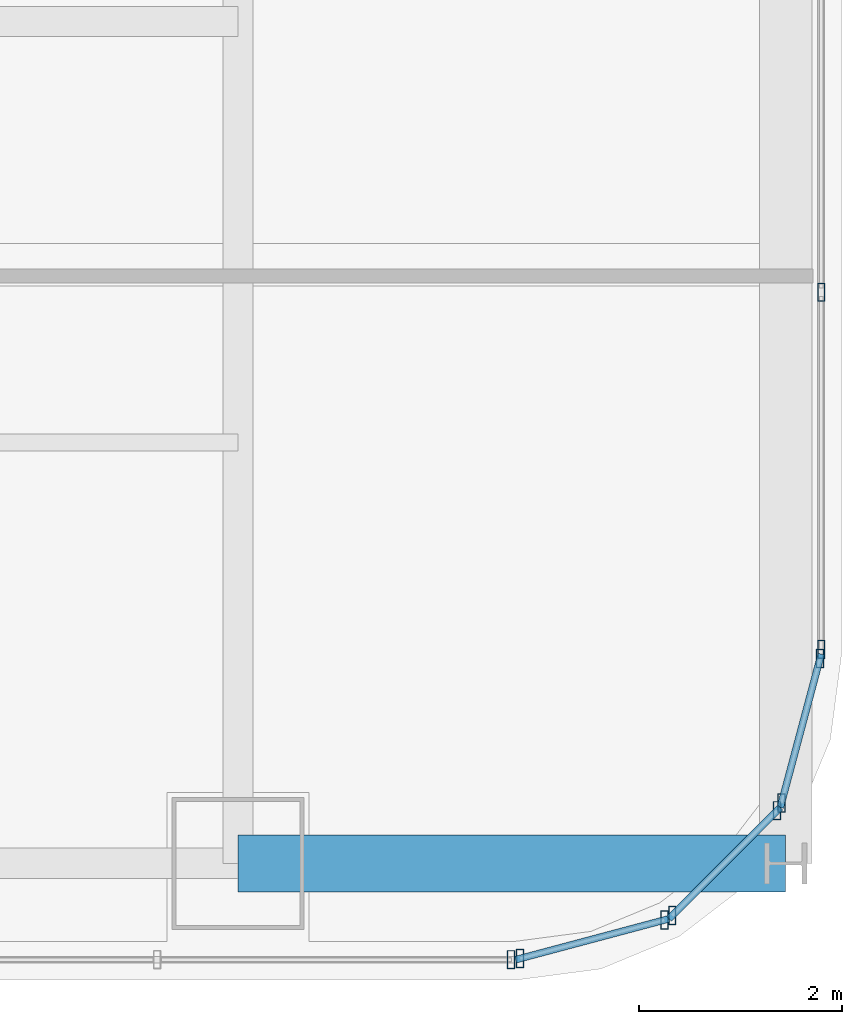
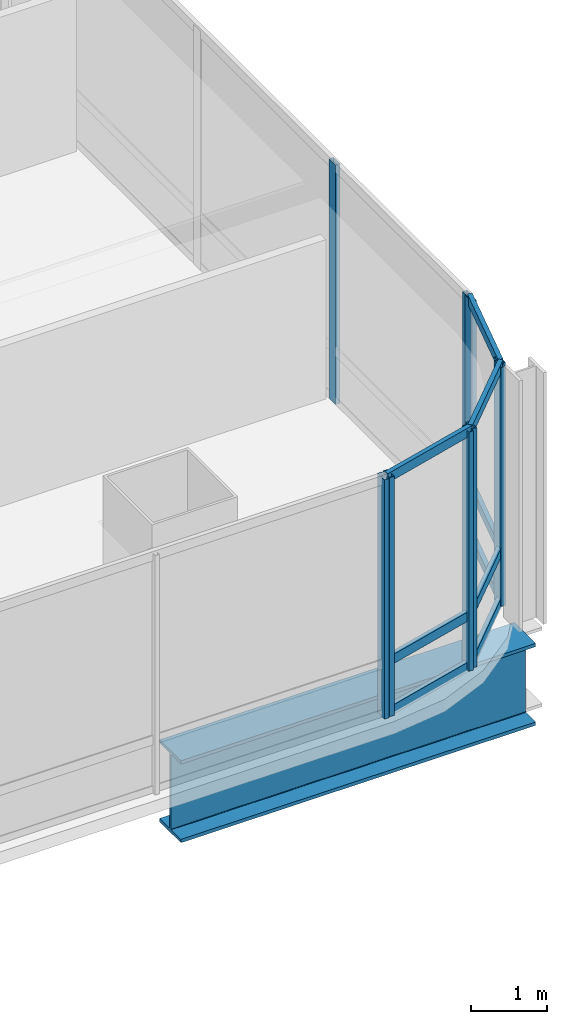
# One storey, part 15 of 39: 18 members, 1 beam, 5 elements without a shape of their own.
"""IFC4 building model written with IfcOpenShell, lengths in metres."""

import ifcopenshell
import ifcopenshell.guid

model = None  # the IFC model being written
_history = None  # IfcOwnerHistory: only IFC2X3 demands one
_inside = {}  # id of a spatial element -> (the spatial element, [elements in it])
_under = {}  # id of a project, library or spatial element -> (it, [spatial elements below it])
_declared = {}  # id of a project -> (the project, [libraries it declares])
_typed = {}  # id of a type object -> (the type object, [elements of that type])
_made_of = {}  # id of a material, layer set ... -> (it, [elements and type objects made of it])


def new_model(schema):
    """Start an empty IFC model of exactly this schema.

    Asked for "IFC4X3", IfcOpenShell would pick the latest addendum, in which some entities
    have other attributes; the version numbers below select the first issue.
    IFC2X3 requires an IfcOwnerHistory on every rooted entity: one is made here for all.
    """
    global model, _history
    if schema == "IFC4X3":
        model = ifcopenshell.file(schema_version=(4, 3, 0, 0))
    else:
        model = ifcopenshell.file(schema=schema)
    _inside.clear()
    _under.clear()
    _declared.clear()
    _typed.clear()
    _made_of.clear()
    _history = None
    if model.schema == "IFC2X3":
        org = make("IfcOrganization", Name="unknown")
        user = make(
            "IfcPersonAndOrganization",
            ThePerson=make("IfcPerson", FamilyName="unknown"),
            TheOrganization=org,
        )
        app = make(
            "IfcApplication",
            ApplicationDeveloper=org,
            Version="unknown",
            ApplicationFullName="unknown",
            ApplicationIdentifier="unknown",
        )
        _history = make(
            "IfcOwnerHistory",
            OwningUser=user,
            OwningApplication=app,
            ChangeAction="ADDED",
            CreationDate=0,
        )
    return model


def make(cls, **values):
    """One entity of the class cls with the attributes given. An attribute that is None is left unset."""
    return model.create_entity(
        cls, **{name: value for name, value in values.items() if value is not None}
    )


def rooted(cls, **values):
    """An entity with a GlobalId (a new one), such as an element, a storey or a relation."""
    return make(cls, GlobalId=ifcopenshell.guid.new(), OwnerHistory=_history, **values)


def si_unit(unit_type, name, prefix=None):
    """IfcSIUnit, for example si_unit("LENGTHUNIT", "METRE", prefix="MILLI")."""
    return make("IfcSIUnit", UnitType=unit_type, Prefix=prefix, Name=name)


def assignment(units):
    """IfcUnitAssignment: the units of a project."""
    return None if units is None else make("IfcUnitAssignment", Units=units)


def point(xyz):
    """IfcCartesianPoint."""
    return None if xyz is None else make("IfcCartesianPoint", Coordinates=xyz)


def direction(xyz):
    """IfcDirection."""
    return None if xyz is None else make("IfcDirection", DirectionRatios=xyz)


def frame(location, z_axis=None, x_axis=None):
    """IfcAxis2Placement3D, a coordinate frame: its origin and axes. An axis left out is left unset."""
    return make(
        "IfcAxis2Placement3D",
        Location=point(location),
        Axis=direction(z_axis),
        RefDirection=direction(x_axis),
    )


def frame_2d(location, x_axis=None):
    """IfcAxis2Placement2D, a coordinate frame in the plane: its origin and x axis."""
    return make(
        "IfcAxis2Placement2D", Location=point(location), RefDirection=direction(x_axis)
    )


def origin():
    """The frame at (0, 0, 0) with its axes left unset."""
    return frame((0.0, 0.0, 0.0))


def origin_2d():
    """The frame at (0, 0) in the plane with its x axis left unset."""
    return frame_2d((0.0, 0.0))


def place(relative_to, where):
    """IfcLocalPlacement: puts the frame where relative to a parent placement (None: the world)."""
    return make(
        "IfcLocalPlacement", PlacementRelTo=relative_to, RelativePlacement=where
    )


def context(
    kind, dimensions, precision=None, world=None, true_north=None, identifier=None
):
    """IfcGeometricRepresentationContext, for example the 3D "Model" context."""
    return make(
        "IfcGeometricRepresentationContext",
        ContextIdentifier=identifier,
        ContextType=kind,
        CoordinateSpaceDimension=dimensions,
        Precision=precision,
        WorldCoordinateSystem=world,
        TrueNorth=true_north,
    )


def subcontext(parent, identifier, kind, view, scale=None):
    """IfcGeometricRepresentationSubContext, for example "Body" below "Model"."""
    return make(
        "IfcGeometricRepresentationSubContext",
        ContextIdentifier=identifier,
        ContextType=kind,
        ParentContext=parent,
        TargetScale=scale,
        TargetView=view,
    )


def project(units=None, contexts=None):
    """IfcProject with its units and contexts."""
    return rooted(
        "IfcProject",
        Name="project",
        RepresentationContexts=contexts,
        UnitsInContext=assignment(units),
    )


def spatial(cls, under=None, at=None, **own):
    """A site, building, storey or space (cls), placed at a placement, below another one or the project."""
    s = rooted(cls, ObjectPlacement=at, **own)
    if under is not None:
        _under.setdefault(under.id(), (under, []))[1].append(s)
    return s


def profile(cls, at=None, kind="AREA", **sizes):
    """A parametric profile (cls). Its sizes go by their IFC names, for example OverallWidth=200.0."""
    return make(cls, ProfileType=kind, Position=at, **sizes)


def hollow_rectangle(**sizes):
    """IfcRectangleHollowProfileDef."""
    return profile("IfcRectangleHollowProfileDef", **sizes)


def i_section(**sizes):
    """IfcIShapeProfileDef."""
    return profile("IfcIShapeProfileDef", **sizes)


def extrude(swept, where, along, depth):
    """IfcExtrudedAreaSolid: the profile swept, set in the frame where, extruded along a direction by depth."""
    return make(
        "IfcExtrudedAreaSolid",
        SweptArea=swept,
        Position=where,
        ExtrudedDirection=direction(along),
        Depth=depth,
    )


def shape(context_of_items, identifier, shape_type, items):
    """IfcShapeRepresentation: the items that make up one representation, for example the "Body"."""
    return make(
        "IfcShapeRepresentation",
        ContextOfItems=context_of_items,
        RepresentationIdentifier=identifier,
        RepresentationType=shape_type,
        Items=items,
    )


def material(Name=None, Category=None):
    """IfcMaterial."""
    return make("IfcMaterial", Name=Name, Category=Category)


def material_profile(
    of_material, cross_section, Name=None, Category=None, Priority=None
):
    """IfcMaterialProfile: a cross section and its material."""
    return make(
        "IfcMaterialProfile",
        Name=Name,
        Material=of_material,
        Profile=cross_section,
        Priority=Priority,
        Category=Category,
    )


def profile_set(profiles, Name=None, composite=None):
    """IfcMaterialProfileSet."""
    return make(
        "IfcMaterialProfileSet",
        Name=Name,
        MaterialProfiles=profiles,
        CompositeProfile=composite,
    )


def made_of(thing, what):
    """Note that an element or type object is made of a material, layer set ...; save() writes the relation."""
    if what is not None:
        _made_of.setdefault(what.id(), (what, []))[1].append(thing)
    return thing


def type_object(cls, material=None, **own):
    """A type object (cls), such as IfcWallType, which elements share."""
    return made_of(rooted(cls, **own), material)


def element(
    cls,
    number,
    at=None,
    inside=None,
    cuts=None,
    type_object=None,
    material=None,
    context=None,
    identifier="Body",
    shape_type=None,
    held_by="IfcProductDefinitionShape",
    body=None,
    shapes=None,
    **own,
):
    """One element of the class cls, such as IfcWall. Its Tag is "e" and its number.

    at: its placement. inside: the storey or other place that contains it. cuts: it is an
    opening in that element (IfcRelVoidsElement). A single representation is given by context,
    identifier, shape_type and body (its items); several are given by shapes. held_by: the class
    of the entity that holds the representations. save() writes the other relations.
    """
    e = rooted(cls, Tag="e%d" % number, ObjectPlacement=at, **own)
    if body is not None:
        shapes = [shape(context, identifier, shape_type, body)]
    if shapes is not None:
        e.Representation = make(held_by, Representations=shapes)
    if inside is not None:
        _inside.setdefault(inside.id(), (inside, []))[1].append(e)
    if cuts is not None:
        rooted(
            "IfcRelVoidsElement", RelatingBuildingElement=cuts, RelatedOpeningElement=e
        )
    if type_object is not None:
        _typed.setdefault(type_object.id(), (type_object, []))[1].append(e)
    return made_of(e, material)


def aggregate(whole, parts):
    """IfcRelAggregates: a whole, such as a stair, and the parts it consists of."""
    return rooted("IfcRelAggregates", RelatingObject=whole, RelatedObjects=parts)


def save(model, path):
    """Write the relations noted so far, then the file.

    IfcRelAggregates (storeys below a building ...), IfcRelContainedInSpatialStructure (elements
    in a storey), IfcRelDefinesByType, IfcRelAssociatesMaterial and IfcRelDeclares: one each for
    every whole, place, type object, material and project.
    """
    for whole, parts in _under.values():
        aggregate(whole, parts)
    for where, things in _inside.values():
        rooted(
            "IfcRelContainedInSpatialStructure",
            RelatedElements=things,
            RelatingStructure=where,
        )
    for kind, things in _typed.values():
        rooted("IfcRelDefinesByType", RelatedObjects=things, RelatingType=kind)
    for what, things in _made_of.values():
        rooted("IfcRelAssociatesMaterial", RelatedObjects=things, RelatingMaterial=what)
    for by, libraries in _declared.values():
        rooted("IfcRelDeclares", RelatingContext=by, RelatedDefinitions=libraries)
    model.write(path)


model = new_model("IFC4")

# Units and contexts
model_context = context("Model", 3, precision=1e-05, world=origin(), true_north=direction((0.0, 1.0)))
body_context = subcontext(model_context, "Body", "Model", "MODEL_VIEW")
ifc_project = project(units=[si_unit("LENGTHUNIT", "METRE"), si_unit("AREAUNIT", "SQUARE_METRE"), si_unit("VOLUMEUNIT", "CUBIC_METRE"), si_unit("PLANEANGLEUNIT", "RADIAN"), si_unit("MASSUNIT", "GRAM", prefix="KILO")], contexts=[model_context])

# Site, building, storey
site_placement = place(None, origin())
site = spatial("IfcSite", under=ifc_project, at=site_placement, CompositionType="ELEMENT")
building_placement = place(site_placement, origin())
building = spatial("IfcBuilding", under=site, at=building_placement, Name="Punatoya Terracotta Tower", CompositionType="ELEMENT")
storey_placement = place(building_placement, frame((0.0, 0.0, 275.699951171875)))
storey = spatial("IfcBuildingStorey", under=building, at=storey_placement, Name="L65", CompositionType="ELEMENT", Elevation=275.699951171875)

# Beam
ifc_material_1 = material(Name="Steel S460", Category="steel")
ifc_material_profile_1 = material_profile(ifc_material_1, i_section(OverallWidth=0.56005859375, OverallDepth=1.320068359375, WebThickness=0.035888671875, FlangeThickness=0.054931640625, FilletRadius=0.01806640625, at=origin_2d()))
ifc_profile_set_1 = profile_set([ifc_material_profile_1], Name="Steel S460")
beam_type = type_object("IfcBeamType", Name="BM-TG-BLK", PredefinedType="BEAM", material=ifc_profile_set_1)
beam_placement = place(storey_placement, frame((19.10009765625, -17.5, -0.85986328125), z_axis=(1.0, 0.0, 0.0), x_axis=(0.0, 1.0, 0.0)))
element("IfcBeam", 1, at=beam_placement, inside=storey, type_object=beam_type, Name="BM-L65-CANT-E1", PredefinedType="BEAM", context=body_context, shape_type="SweptSolid", body=[
    extrude(i_section(OverallWidth=0.56005859375, OverallDepth=1.320068359375, WebThickness=0.035888671875, FlangeThickness=0.054931640625, FilletRadius=0.01806640625, at=origin_2d()), origin(), (0.0, 0.0, 1.0), 5.39990234375),
])

# Curtain wall, member
ifc_material_2 = material(Name="Aluminium 6063-T6 + Double Low-E Glass", Category="aluminium")
curtain_wall_type = type_object("IfcCurtainWallType", Name="CW-M3", PredefinedType="NOTDEFINED", material=ifc_material_2)
curtain_wall_1_placement = place(storey_placement, origin())
curtain_wall_1 = element("IfcCurtainWall", 2, at=curtain_wall_1_placement, inside=storey, type_object=curtain_wall_type, Name="L65 Curtain Wall CW-L65-S01-1", PredefinedType="NOTDEFINED")
ifc_material_3 = material(Name="Aluminium 6063-T6", Category="aluminium")
ifc_material_profile_2 = material_profile(ifc_material_3, hollow_rectangle(XDim=0.070068359375, YDim=0.179931640625, WallThickness=0.00390625, at=origin_2d()))
ifc_profile_set_2 = profile_set([ifc_material_profile_2], Name="Aluminium 6063-T6")
member_type_1 = type_object("IfcMemberType", Name="CW-MUL-M3", PredefinedType="MULLION", material=ifc_profile_set_2)
member_1_placement = place(storey_placement, frame((21.7919921875, -18.449951171875, 0.0), z_axis=(0.0, 0.0, 1.0), x_axis=(1.0, 0.0, 0.0)))
member_1 = element("IfcMember", 3, at=member_1_placement, type_object=member_type_1, Name="CW-L65-S01-1 Mullion 11", PredefinedType="MULLION", context=body_context, shape_type="SweptSolid", body=[
    extrude(hollow_rectangle(XDim=0.070068359375, YDim=0.179931640625, WallThickness=0.00390625, at=origin_2d()), origin(), (0.0, 0.0, 1.0), 3.85009765625),
])
aggregate(curtain_wall_1, [member_1])

# Curtain wall, members
curtain_wall_2_placement = place(storey_placement, origin())
curtain_wall_2 = element("IfcCurtainWall", 4, at=curtain_wall_2_placement, inside=storey, type_object=curtain_wall_type, Name="L65 Curtain Wall CW-L65-CRN02", PredefinedType="NOTDEFINED")
member_2_placement = place(storey_placement, frame((21.88037109375, -18.4384765625, 0.0), z_axis=(0.0, 0.0, 1.0), x_axis=(1.0, 0.0, 0.0)))
member_2 = element("IfcMember", 5, at=member_2_placement, type_object=member_type_1, Name="CW-L65-CRN02 Mullion 00", PredefinedType="MULLION", context=body_context, shape_type="SweptSolid", body=[
    extrude(hollow_rectangle(XDim=0.070068359375, YDim=0.179931640625, WallThickness=0.00390625, at=origin_2d()), origin(), (0.0, 0.0, 1.0), 3.85009765625),
])
member_3_placement = place(storey_placement, frame((23.3056640625, -18.05810546875, 0.0), z_axis=(0.0, 0.0, 1.0), x_axis=(1.0, 0.0, 0.0)))
member_3 = element("IfcMember", 6, at=member_3_placement, type_object=member_type_1, Name="CW-L65-CRN02 Mullion 01", PredefinedType="MULLION", context=body_context, shape_type="SweptSolid", body=[
    extrude(hollow_rectangle(XDim=0.070068359375, YDim=0.179931640625, WallThickness=0.00390625, at=origin_2d()), origin(), (0.0, 0.0, 1.0), 3.85009765625),
])

curtain_wall_3_placement = place(storey_placement, origin())
curtain_wall_3 = element("IfcCurtainWall", 7, at=curtain_wall_3_placement, inside=storey, type_object=curtain_wall_type, Name="L65 Curtain Wall CW-L65-CRN03", PredefinedType="NOTDEFINED")
member_4_placement = place(storey_placement, frame((23.380859375, -18.014892578125, 0.0), z_axis=(0.0, 0.0, 1.0), x_axis=(1.0, 0.0, 0.0)))
member_4 = element("IfcMember", 8, at=member_4_placement, type_object=member_type_1, Name="CW-L65-CRN03 Mullion 00", PredefinedType="MULLION", context=body_context, shape_type="SweptSolid", body=[
    extrude(hollow_rectangle(XDim=0.070068359375, YDim=0.179931640625, WallThickness=0.00390625, at=origin_2d()), origin(), (0.0, 0.0, 1.0), 3.85009765625),
])
member_5_placement = place(storey_placement, frame((24.414794921875, -16.98095703125, 0.0), z_axis=(0.0, 0.0, 1.0), x_axis=(1.0, 0.0, 0.0)))
member_5 = element("IfcMember", 9, at=member_5_placement, type_object=member_type_1, Name="CW-L65-CRN03 Mullion 01", PredefinedType="MULLION", context=body_context, shape_type="SweptSolid", body=[
    extrude(hollow_rectangle(XDim=0.070068359375, YDim=0.179931640625, WallThickness=0.00390625, at=origin_2d()), origin(), (0.0, 0.0, 1.0), 3.85009765625),
])

curtain_wall_4_placement = place(storey_placement, origin())
curtain_wall_4 = element("IfcCurtainWall", 10, at=curtain_wall_4_placement, inside=storey, type_object=curtain_wall_type, Name="L65 Curtain Wall CW-L65-CRN04", PredefinedType="NOTDEFINED")
member_6_placement = place(storey_placement, frame((24.458251953125, -16.905517578125, 0.0), z_axis=(0.0, 0.0, 1.0), x_axis=(1.0, 0.0, 0.0)))
member_6 = element("IfcMember", 11, at=member_6_placement, type_object=member_type_1, Name="CW-L65-CRN04 Mullion 00", PredefinedType="MULLION", context=body_context, shape_type="SweptSolid", body=[
    extrude(hollow_rectangle(XDim=0.070068359375, YDim=0.179931640625, WallThickness=0.00390625, at=origin_2d()), origin(), (0.0, 0.0, 1.0), 3.85009765625),
])
member_7_placement = place(storey_placement, frame((24.83837890625, -15.48046875, 0.0), z_axis=(0.0, 0.0, 1.0), x_axis=(1.0, 0.0, 0.0)))
member_7 = element("IfcMember", 12, at=member_7_placement, type_object=member_type_1, Name="CW-L65-CRN04 Mullion 01", PredefinedType="MULLION", context=body_context, shape_type="SweptSolid", body=[
    extrude(hollow_rectangle(XDim=0.070068359375, YDim=0.179931640625, WallThickness=0.00390625, at=origin_2d()), origin(), (0.0, 0.0, 1.0), 3.85009765625),
])

curtain_wall_5_placement = place(storey_placement, origin())
curtain_wall_5 = element("IfcCurtainWall", 13, at=curtain_wall_5_placement, inside=storey, type_object=curtain_wall_type, Name="L65 Curtain Wall CW-L65-E05-1", PredefinedType="NOTDEFINED")
member_8_placement = place(storey_placement, frame((24.85009765625, -15.391845703125, 0.0), z_axis=(0.0, 0.0, 1.0), x_axis=(1.0, 0.0, 0.0)))
member_8 = element("IfcMember", 14, at=member_8_placement, type_object=member_type_1, Name="CW-L65-E05-1 Mullion 00", PredefinedType="MULLION", context=body_context, shape_type="SweptSolid", body=[
    extrude(hollow_rectangle(XDim=0.070068359375, YDim=0.179931640625, WallThickness=0.00390625, at=origin_2d()), origin(), (0.0, 0.0, 1.0), 3.85009765625),
])
member_9_placement = place(storey_placement, frame((24.85009765625, -11.869384765625, 0.0), z_axis=(0.0, 0.0, 1.0), x_axis=(1.0, 0.0, 0.0)))
member_9 = element("IfcMember", 15, at=member_9_placement, type_object=member_type_1, Name="CW-L65-E05-1 Mullion 01", PredefinedType="MULLION", context=body_context, shape_type="SweptSolid", body=[
    extrude(hollow_rectangle(XDim=0.070068359375, YDim=0.179931640625, WallThickness=0.00390625, at=origin_2d()), origin(), (0.0, 0.0, 1.0), 3.85009765625),
])
aggregate(curtain_wall_5, [member_8, member_9])

# Member
ifc_material_profile_3 = material_profile(ifc_material_3, hollow_rectangle(XDim=0.068115234375, YDim=0.14990234375, WallThickness=0.00390625, at=origin_2d()))
ifc_profile_set_3 = profile_set([ifc_material_profile_3], Name="Aluminium 6063-T6")
member_type_2 = type_object("IfcMemberType", Name="CW-TRN-TYP", PredefinedType="USERDEFINED", material=ifc_profile_set_3)
member_10_placement = place(storey_placement, frame((21.8369140625, -18.449951171875, 0.0400390625), z_axis=(0.966224582397, 0.257701486942, 0.0), x_axis=(-0.257701486942, 0.966224582397, 0.0)))
member_10 = element("IfcMember", 16, at=member_10_placement, type_object=member_type_2, Name="CW-L65-CRN02 Transom 1", ObjectType="TRANSOM", PredefinedType="USERDEFINED", context=body_context, shape_type="SweptSolid", body=[
    extrude(hollow_rectangle(XDim=0.068115234375, YDim=0.14990234375, WallThickness=0.00390625, at=origin_2d()), origin(), (0.0, 0.0, 1.0), 1.565185546875),
])

member_11_placement = place(storey_placement, frame((21.8369140625, -18.449951171875, 0.85009765625), z_axis=(0.966224582397, 0.257701486942, 0.0), x_axis=(-0.257701486942, 0.966224582397, 0.0)))
member_11 = element("IfcMember", 17, at=member_11_placement, type_object=member_type_2, Name="CW-L65-CRN02 Transom 2", ObjectType="TRANSOM", PredefinedType="USERDEFINED", context=body_context, shape_type="SweptSolid", body=[
    extrude(hollow_rectangle(XDim=0.068115234375, YDim=0.14990234375, WallThickness=0.00390625, at=origin_2d()), origin(), (0.0, 0.0, 1.0), 1.565185546875),
])

member_12_placement = place(storey_placement, frame((21.8369140625, -18.449951171875, 3.81005859375), z_axis=(0.966224582397, 0.257701486942, 0.0), x_axis=(-0.257701486942, 0.966224582397, 0.0)))
member_12 = element("IfcMember", 18, at=member_12_placement, type_object=member_type_2, Name="CW-L65-CRN02 Transom 3", ObjectType="TRANSOM", PredefinedType="USERDEFINED", context=body_context, shape_type="SweptSolid", body=[
    extrude(hollow_rectangle(XDim=0.068115234375, YDim=0.14990234375, WallThickness=0.00390625, at=origin_2d()), origin(), (0.0, 0.0, 1.0), 1.565185546875),
])

aggregate(curtain_wall_2, [member_2, member_3, member_10, member_11, member_12])

member_13_placement = place(storey_placement, frame((23.34912109375, -18.046630859375, 0.0400390625), z_axis=(0.707106781187, 0.707106781187, 0.0), x_axis=(-0.707106781187, 0.707106781187, 0.0)))
member_13 = element("IfcMember", 19, at=member_13_placement, type_object=member_type_2, Name="CW-L65-CRN03 Transom 1", ObjectType="TRANSOM", PredefinedType="USERDEFINED", context=body_context, shape_type="SweptSolid", body=[
    extrude(hollow_rectangle(XDim=0.068115234375, YDim=0.14990234375, WallThickness=0.00390625, at=origin_2d()), origin(), (0.0, 0.0, 1.0), 1.552001953125),
])

member_14_placement = place(storey_placement, frame((23.34912109375, -18.046630859375, 0.85009765625), z_axis=(0.707106781187, 0.707106781187, 0.0), x_axis=(-0.707106781187, 0.707106781187, 0.0)))
member_14 = element("IfcMember", 20, at=member_14_placement, type_object=member_type_2, Name="CW-L65-CRN03 Transom 2", ObjectType="TRANSOM", PredefinedType="USERDEFINED", context=body_context, shape_type="SweptSolid", body=[
    extrude(hollow_rectangle(XDim=0.068115234375, YDim=0.14990234375, WallThickness=0.00390625, at=origin_2d()), origin(), (0.0, 0.0, 1.0), 1.552001953125),
])

member_15_placement = place(storey_placement, frame((23.34912109375, -18.046630859375, 3.81005859375), z_axis=(0.707106781187, 0.707106781187, 0.0), x_axis=(-0.707106781187, 0.707106781187, 0.0)))
member_15 = element("IfcMember", 21, at=member_15_placement, type_object=member_type_2, Name="CW-L65-CRN03 Transom 3", ObjectType="TRANSOM", PredefinedType="USERDEFINED", context=body_context, shape_type="SweptSolid", body=[
    extrude(hollow_rectangle(XDim=0.068115234375, YDim=0.14990234375, WallThickness=0.00390625, at=origin_2d()), origin(), (0.0, 0.0, 1.0), 1.552001953125),
])

aggregate(curtain_wall_3, [member_4, member_5, member_13, member_14, member_15])

member_16_placement = place(storey_placement, frame((24.446533203125, -16.94921875, 0.0400390625), z_axis=(0.257847112249, 0.966185730957, 0.0), x_axis=(-0.966185730957, 0.257847112249, 0.0)))
member_16 = element("IfcMember", 22, at=member_16_placement, type_object=member_type_2, Name="CW-L65-CRN04 Transom 1", ObjectType="TRANSOM", PredefinedType="USERDEFINED", context=body_context, shape_type="SweptSolid", body=[
    extrude(hollow_rectangle(XDim=0.068115234375, YDim=0.14990234375, WallThickness=0.00390625, at=origin_2d()), origin(), (0.0, 0.0, 1.0), 1.565185546875),
])

member_17_placement = place(storey_placement, frame((24.446533203125, -16.94921875, 0.85009765625), z_axis=(0.257847112249, 0.966185730957, 0.0), x_axis=(-0.966185730957, 0.257847112249, 0.0)))
member_17 = element("IfcMember", 23, at=member_17_placement, type_object=member_type_2, Name="CW-L65-CRN04 Transom 2", ObjectType="TRANSOM", PredefinedType="USERDEFINED", context=body_context, shape_type="SweptSolid", body=[
    extrude(hollow_rectangle(XDim=0.068115234375, YDim=0.14990234375, WallThickness=0.00390625, at=origin_2d()), origin(), (0.0, 0.0, 1.0), 1.565185546875),
])

member_18_placement = place(storey_placement, frame((24.446533203125, -16.94921875, 3.81005859375), z_axis=(0.257847112249, 0.966185730957, 0.0), x_axis=(-0.966185730957, 0.257847112249, 0.0)))
member_18 = element("IfcMember", 24, at=member_18_placement, type_object=member_type_2, Name="CW-L65-CRN04 Transom 3", ObjectType="TRANSOM", PredefinedType="USERDEFINED", context=body_context, shape_type="SweptSolid", body=[
    extrude(hollow_rectangle(XDim=0.068115234375, YDim=0.14990234375, WallThickness=0.00390625, at=origin_2d()), origin(), (0.0, 0.0, 1.0), 1.565185546875),
])

aggregate(curtain_wall_4, [member_6, member_7, member_16, member_17, member_18])

save(model, "model.ifc")
